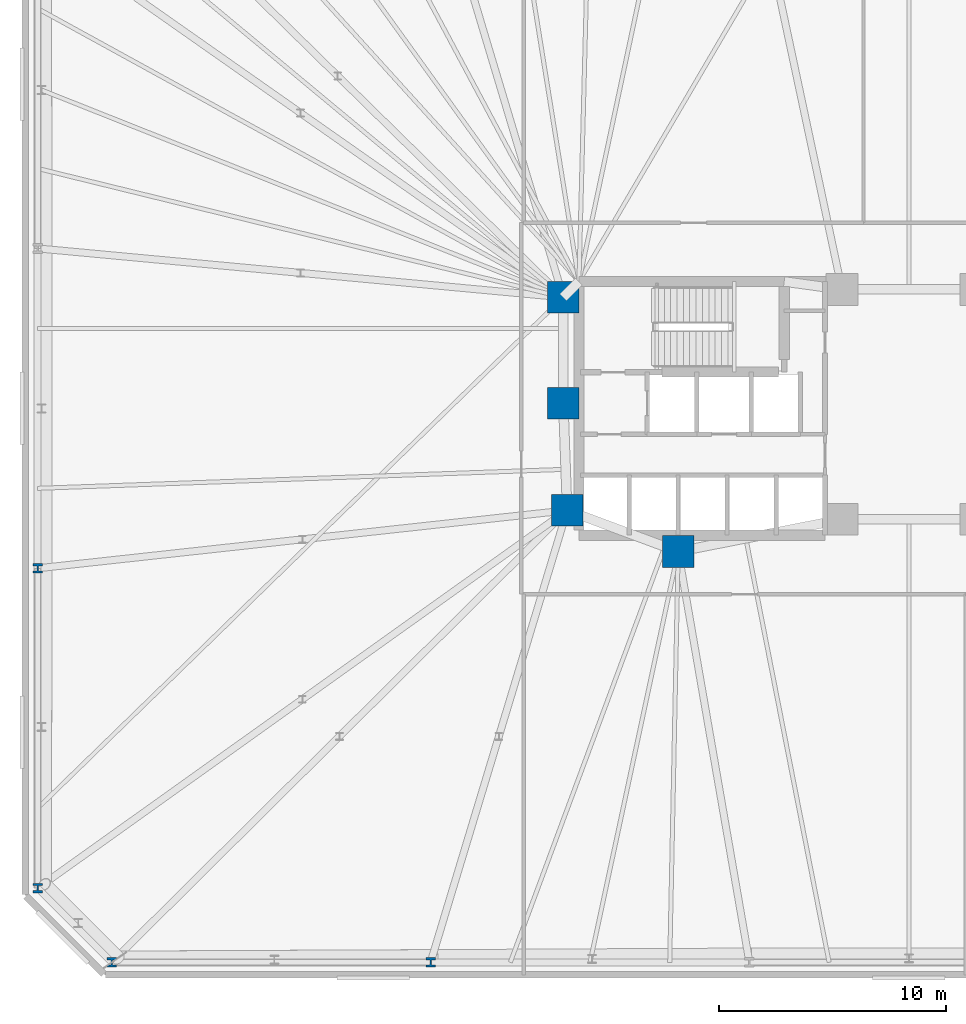
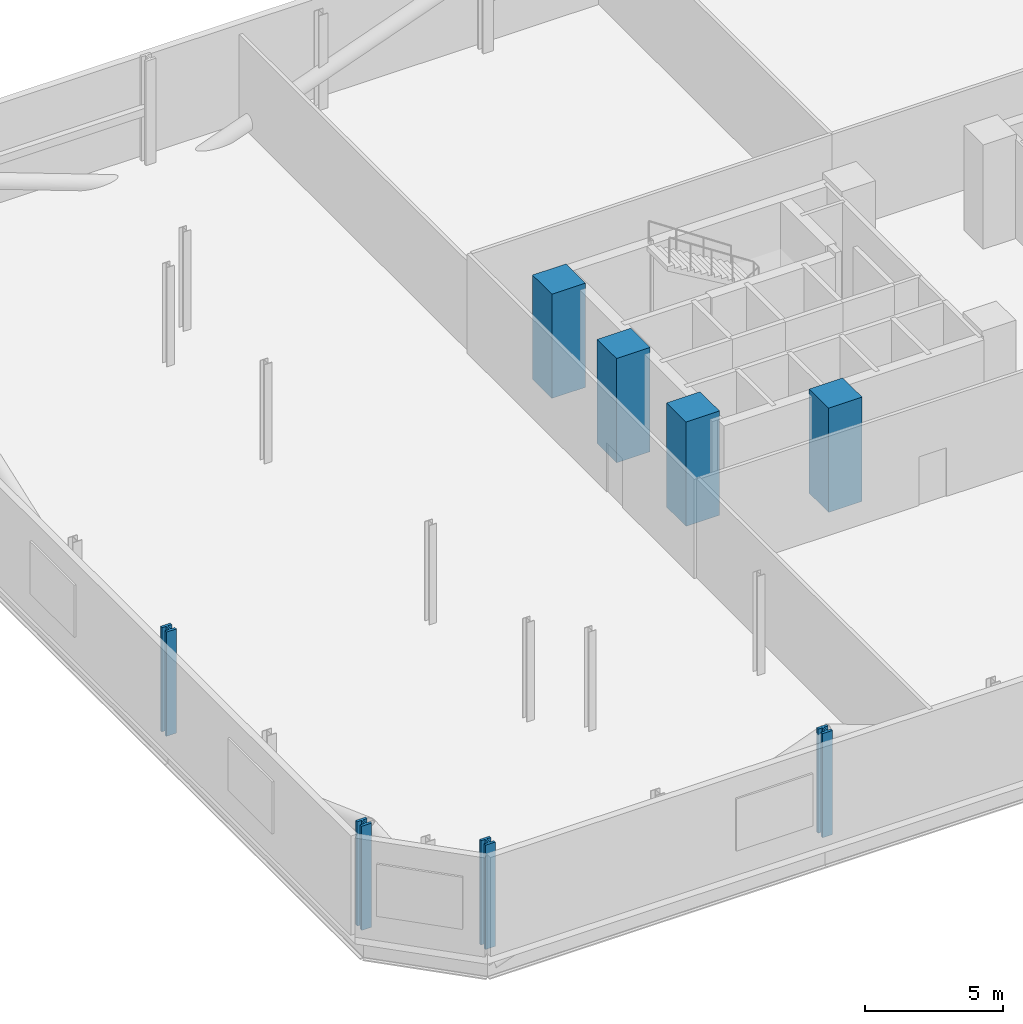
# One storey, part 1 of 17: 8 columns.
"""IFC4 building model written with IfcOpenShell, lengths in metres."""

from ifc_helpers import new_model, si_unit, direction, frame, origin, origin_2d, place, context, subcontext, project, spatial, rectangle, i_section, extrude, material, material_profile, profile_set, type_object, element, save


model = new_model("IFC4")

# Units and contexts
model_context = context("Model", 3, precision=1e-05, world=origin(), true_north=direction((0.0, 1.0)))
body_context = subcontext(model_context, "Body", "Model", "MODEL_VIEW")
ifc_project = project(units=[si_unit("LENGTHUNIT", "METRE"), si_unit("AREAUNIT", "SQUARE_METRE"), si_unit("VOLUMEUNIT", "CUBIC_METRE"), si_unit("PLANEANGLEUNIT", "RADIAN"), si_unit("MASSUNIT", "GRAM", prefix="KILO")], contexts=[model_context])

# Site, building, storey
site_placement = place(None, origin())
site = spatial("IfcSite", under=ifc_project, at=site_placement, CompositionType="ELEMENT")
building_placement = place(site_placement, origin())
building = spatial("IfcBuilding", under=site, at=building_placement, Name="Menara Jurai Vektor", CompositionType="ELEMENT")
storey_placement = place(building_placement, frame((0.0, 0.0, 9.60009765625)))
storey = spatial("IfcBuildingStorey", under=building, at=storey_placement, Name="L01", CompositionType="ELEMENT", Elevation=9.60009765625)

# Columns
ifc_material_1 = material(Name="Concrete C60/75", Category="concrete")
ifc_material_profile_1 = material_profile(ifc_material_1, rectangle(XDim=1.39990234375, YDim=1.39990234375, at=origin_2d()), Name="RC 1400x1400")
ifc_profile_set_1 = profile_set([ifc_material_profile_1], Name="Concrete C60/75")
column_type_1 = type_object("IfcColumnType", Name="STR-COL-RC1400", PredefinedType="COLUMN", material=ifc_profile_set_1)
for number, where, z_axis, x_axis, name in (
    (1, (-15.25, 4.89990234375, 0.0), (0.0, 0.0, 1.0), (1.0, 0.0, 0.0), "Core Spine Column CW-NW L01"),
    (2, (-15.25, 0.219970703125, 0.0), (0.0, 0.0, 1.0), (1.0, 0.0, 0.0), "Core Spine Column CW-WM L01"),
    (3, (-15.080078125, -4.5, 0.0), (0.0, 0.0, 1.0), (1.0, 0.0, 0.0), "Core Spine Column CW-SW L01"),
    (4, (-10.179931640625, -6.320068359375, 0.0), (0.0, 0.0, 1.0), (1.0, 0.0, 0.0), "Core Spine Column CW-SM L01"),
):
    element("IfcColumn", number, at=place(storey_placement, frame(where, z_axis=z_axis, x_axis=x_axis)), inside=storey, type_object=column_type_1, Name=name, PredefinedType="COLUMN", context=body_context, shape_type="SweptSolid", body=[
        extrude(rectangle(XDim=1.39990234375, YDim=1.39990234375, at=origin_2d()), origin(), (0.0, 0.0, 1.0), 4.599853515625),
    ])
ifc_material_2 = material(Name="Steel S460", Category="steel")
ifc_material_profile_2 = material_profile(ifc_material_2, i_section(OverallWidth=0.419921875, OverallDepth=0.430908203125, WebThickness=0.06494140625, FlangeThickness=0.10595703125, FilletRadius=0.014892578125, at=origin_2d()), Name="HD 400x900")
ifc_profile_set_2 = profile_set([ifc_material_profile_2], Name="Steel S460")
column_type_2 = type_object("IfcColumnType", Name="STR-EXO-BLK1", PredefinedType="COLUMN", material=ifc_profile_set_2)
for number, where, z_axis, x_axis, name in (
    (5, (-35.177734375, -24.449951171875, 0.0), (0.0, 0.0, 1.0), (1.0, 0.0, 0.0), "Exoskeleton Column BLK1-S1 L01"),
    (6, (-21.106689453125, -24.449951171875, 0.0), (0.0, 0.0, 1.0), (1.0, 0.0, 0.0), "Exoskeleton Column BLK1-S2 L01"),
    (7, (-38.449951171875, -7.059326171875, 0.0), (0.0, 0.0, 1.0), (1.0, 0.0, 0.0), "Exoskeleton Column BLK1-W3 L01"),
    (8, (-38.449951171875, -21.177734375, 0.0), (0.0, 0.0, 1.0), (1.0, 0.0, 0.0), "Exoskeleton Column BLK1-W4 L01"),
):
    element("IfcColumn", number, at=place(storey_placement, frame(where, z_axis=z_axis, x_axis=x_axis)), inside=storey, type_object=column_type_2, Name=name, PredefinedType="COLUMN", context=body_context, shape_type="SweptSolid", body=[
        extrude(i_section(OverallWidth=0.419921875, OverallDepth=0.430908203125, WebThickness=0.06494140625, FlangeThickness=0.10595703125, FilletRadius=0.014892578125, at=origin_2d()), origin(), (0.0, 0.0, 1.0), 4.599853515625),
    ])

save(model, "model.ifc")
